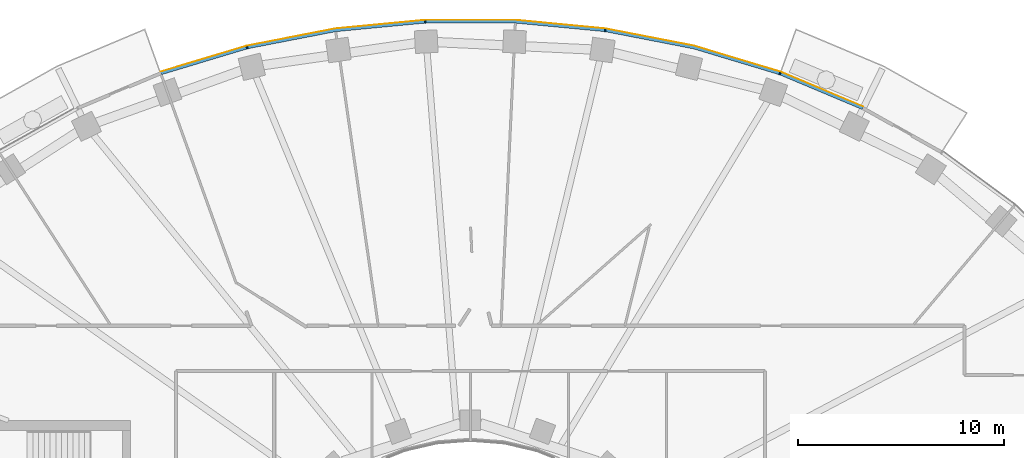
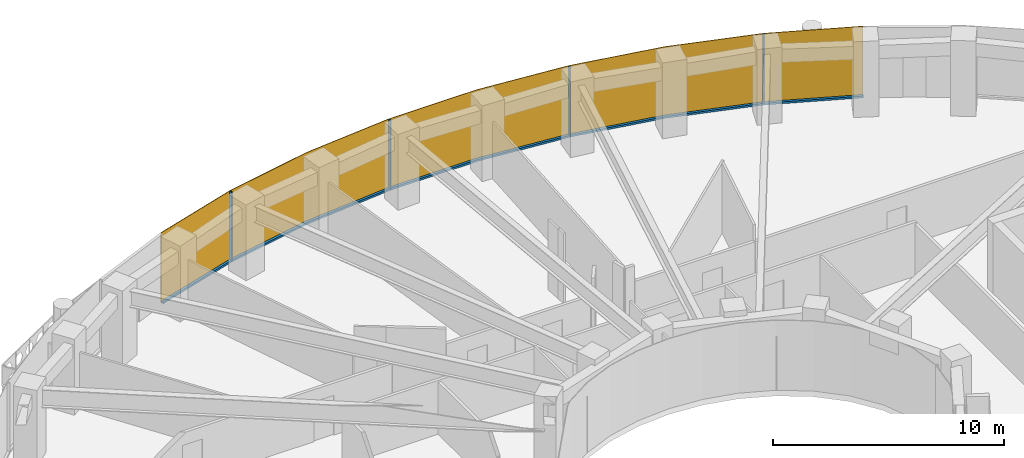
# One storey, part 12 of 15: 9 members, 1 curtain wall.
"""IFC4 building model written with IfcOpenShell, lengths in metres."""

from ifc_helpers import new_model, si_unit, direction, frame, origin, origin_2d, place, context, subcontext, project, spatial, polyline, rectangle, outline, extrude, material, layer, layer_set, material_profile, profile_set, type_object, element, aggregate, save


model = new_model("IFC4")

# Units and contexts
model_context = context("Model", 3, precision=1e-05, world=origin(), true_north=direction((0.0, 1.0)))
body_context = subcontext(model_context, "Body", "Model", "MODEL_VIEW")
ifc_project = project(units=[si_unit("LENGTHUNIT", "METRE"), si_unit("AREAUNIT", "SQUARE_METRE"), si_unit("VOLUMEUNIT", "CUBIC_METRE"), si_unit("PLANEANGLEUNIT", "RADIAN"), si_unit("MASSUNIT", "GRAM", prefix="KILO")], contexts=[model_context])

# Member
ifc_material_1 = material(Name="Aluminium 6063-T6 black anodised", Category="aluminium")
ifc_material_profile = material_profile(ifc_material_1, rectangle(XDim=0.1201171875, YDim=0.06005859375, at=origin_2d()), Name="120x60")
ifc_profile_set = profile_set([ifc_material_profile], Name="Aluminium 6063-T6 black anodised")
member_type_1 = type_object("IfcMemberType", Name="ENV-MULLION-A-120", PredefinedType="MULLION", material=ifc_profile_set)
site_placement = place(None, origin())
building_placement = place(site_placement, origin())
storey_placement = place(building_placement, frame((0.0, 0.0, 241.5)))
member_1_placement = place(storey_placement, frame((15.0341796875, 25.34375, 0.0), z_axis=(0.0, 0.0, 1.0), x_axis=(-0.338379256581, -0.941009818608, 0.0)))
member_1 = element("IfcMember", 1, at=member_1_placement, type_object=member_type_1, Name="Mullion A radial 09", PredefinedType="MULLION", context=body_context, shape_type="SweptSolid", body=[
    extrude(rectangle(XDim=0.1201171875, YDim=0.06005859375, at=origin_2d()), origin(), (0.0, 0.0, 1.0), 3.699951171875),
])

member_2_placement = place(storey_placement, frame((6.54638671875, 27.440185546875, 0.0), z_axis=(0.0, 0.0, 1.0), x_axis=(-0.143082012705, -0.989710835366, 0.0)))
member_2 = element("IfcMember", 2, at=member_2_placement, type_object=member_type_1, Name="Mullion A radial 11", PredefinedType="MULLION", context=body_context, shape_type="SweptSolid", body=[
    extrude(rectangle(XDim=0.1201171875, YDim=0.06005859375, at=origin_2d()), origin(), (0.0, 0.0, 1.0), 3.699951171875),
])

member_3_placement = place(storey_placement, frame((-2.188720703125, 27.856201171875, 0.0), z_axis=(0.0, 0.0, 1.0), x_axis=(0.047557873581, -0.998868484166, 0.0)))
member_3 = element("IfcMember", 3, at=member_3_placement, type_object=member_type_1, Name="Mullion A radial 13", PredefinedType="MULLION", context=body_context, shape_type="SweptSolid", body=[
    extrude(rectangle(XDim=0.1201171875, YDim=0.06005859375, at=origin_2d()), origin(), (0.0, 0.0, 1.0), 3.699951171875),
])

member_4_placement = place(storey_placement, frame((-10.84326171875, 26.60498046875, 0.0), z_axis=(0.0, 0.0, 1.0), x_axis=(0.239799081534, -0.970822538106, 0.0)))
member_4 = element("IfcMember", 4, at=member_4_placement, type_object=member_type_1, Name="Mullion A radial 15", PredefinedType="MULLION", context=body_context, shape_type="SweptSolid", body=[
    extrude(rectangle(XDim=0.1201171875, YDim=0.06005859375, at=origin_2d()), origin(), (0.0, 0.0, 1.0), 3.699951171875),
])

ifc_material_2 = material(Name="Aluminium 6063-T6 black anodised", Category="aluminium")
member_type_2 = type_object("IfcMemberType", Name="ENV-TRANSOM-A", PredefinedType="USERDEFINED", material=ifc_material_2)
member_5_placement = place(storey_placement, origin())
member_5 = element("IfcMember", 5, at=member_5_placement, type_object=member_type_2, Name="Transom A radial 08-09", ObjectType="TRANSOM", PredefinedType="USERDEFINED", context=body_context, shape_type="SweptSolid", body=[
    extrude(outline(polyline([(19.07568359375, 23.709228515625), (15.080322265625, 25.389404296875), (15.03955078125, 25.276123046875), (19.02294921875, 23.601318359375), (19.07568359375, 23.709228515625)])), origin(), (0.0, 0.0, 1.0), 0.10009765625),
])

member_6_placement = place(storey_placement, origin())
member_6 = element("IfcMember", 6, at=member_6_placement, type_object=member_type_2, Name="Transom A radial 09-11", ObjectType="TRANSOM", PredefinedType="USERDEFINED", context=body_context, shape_type="SweptSolid", body=[
    extrude(outline(polyline([(15.027587890625, 25.408203125), (10.857666015625, 26.6630859375), (6.58251953125, 27.494140625), (6.5654296875, 27.375244140625), (10.828857421875, 26.54638671875), (14.987060546875, 25.295166015625), (15.027587890625, 25.408203125)])), origin(), (0.0, 0.0, 1.0), 0.10009765625),
])

member_7_placement = place(storey_placement, origin())
member_7 = element("IfcMember", 7, at=member_7_placement, type_object=member_type_2, Name="Transom A radial 11-13", ObjectType="TRANSOM", PredefinedType="USERDEFINED", context=body_context, shape_type="SweptSolid", body=[
    extrude(outline(polyline([(6.527099609375, 27.502197265625), (2.191650390625, 27.916015625), (-2.163818359375, 27.916015625), (-2.157958984375, 27.7958984375), (2.185791015625, 27.7958984375), (6.510009765625, 27.38330078125), (6.527099609375, 27.502197265625)])), origin(), (0.0, 0.0, 1.0), 0.10009765625),
])

member_8_placement = place(storey_placement, origin())
member_8 = element("IfcMember", 8, at=member_8_placement, type_object=member_type_2, Name="Transom A radial 13-15", ObjectType="TRANSOM", PredefinedType="USERDEFINED", context=body_context, shape_type="SweptSolid", body=[
    extrude(outline(polyline([(-2.219482421875, 27.913330078125), (-6.55517578125, 27.49951171875), (-10.830078125, 26.66845703125), (-10.80126953125, 26.552001953125), (-6.537841796875, 27.380615234375), (-2.2138671875, 27.793212890625), (-2.219482421875, 27.913330078125)])), origin(), (0.0, 0.0, 1.0), 0.10009765625),
])

member_9_placement = place(storey_placement, origin())
member_9 = element("IfcMember", 9, at=member_9_placement, type_object=member_type_2, Name="Transom A radial 15-16", ObjectType="TRANSOM", PredefinedType="USERDEFINED", context=body_context, shape_type="SweptSolid", body=[
    extrude(outline(polyline([(-10.884521484375, 26.655029296875), (-15.035400390625, 25.406005859375), (-14.99462890625, 25.292724609375), (-10.855712890625, 26.53857421875), (-10.884521484375, 26.655029296875)])), origin(), (0.0, 0.0, 1.0), 0.10009765625),
])

# Site, building, storey
site = spatial("IfcSite", under=ifc_project, at=site_placement, CompositionType="ELEMENT")
building = spatial("IfcBuilding", under=site, at=building_placement, Name="Noorbagh Ring Tower", CompositionType="ELEMENT")
storey = spatial("IfcBuildingStorey", under=building, at=storey_placement, Name="L50", CompositionType="ELEMENT", Elevation=241.5)

# Curtain wall
ifc_material_3 = material(Name="Glass dark tinted laminated", Category="glass")
ifc_layer = layer(ifc_material_3, 0.031982421875)
ifc_layer_set = layer_set([ifc_layer], Name="Glass dark tinted laminated")
curtain_wall_type = type_object("IfcCurtainWallType", Name="ENV-CW-A", PredefinedType="NOTDEFINED", material=ifc_layer_set)
curtain_wall_placement = place(storey_placement, origin())
curtain_wall = element("IfcCurtainWall", 10, at=curtain_wall_placement, inside=storey, type_object=curtain_wall_type, Name="Curtain wall A R08", PredefinedType="NOTDEFINED", context=body_context, shape_type="SweptSolid", body=[
    extrude(outline(polyline([(19.08984375, 23.738037109375), (15.065185546875, 25.430419921875), (10.865234375, 26.6943359375), (6.559814453125, 27.53125), (2.193115234375, 27.947998046875), (-2.193115234375, 27.947998046875), (-6.559814453125, 27.53125), (-10.865234375, 26.6943359375), (-15.046142578125, 25.43603515625), (-15.035400390625, 25.406005859375), (-10.857666015625, 26.6630859375), (-6.55517578125, 27.49951171875), (-2.191650390625, 27.916015625), (2.191650390625, 27.916015625), (6.55517578125, 27.49951171875), (10.857666015625, 26.6630859375), (15.054443359375, 25.400146484375), (19.07568359375, 23.709228515625), (19.08984375, 23.738037109375)])), origin(), (0.0, 0.0, 1.0), 3.699951171875),
])

aggregate(curtain_wall, [member_1, member_2, member_3, member_4, member_5, member_6, member_7, member_8, member_9])

save(model, "model.ifc")
